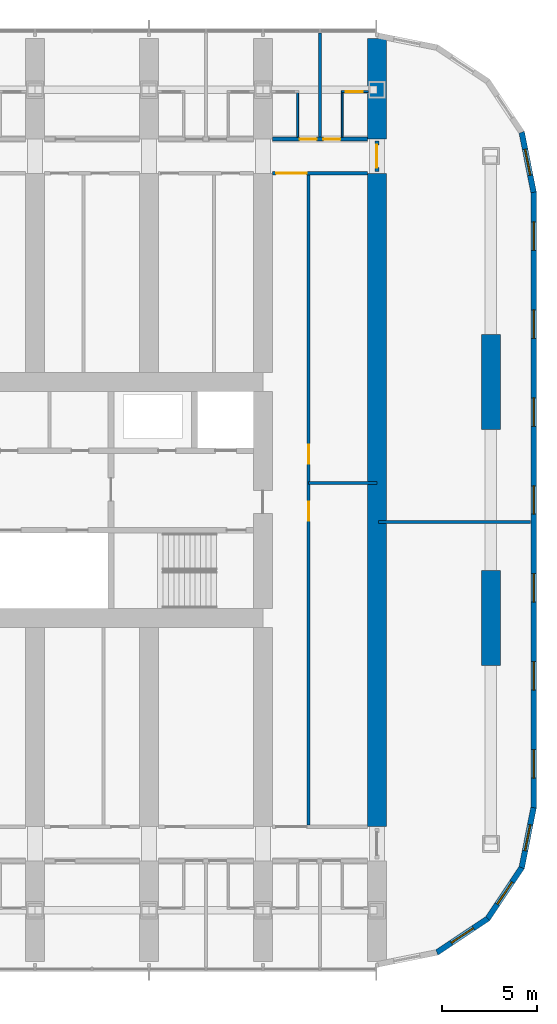
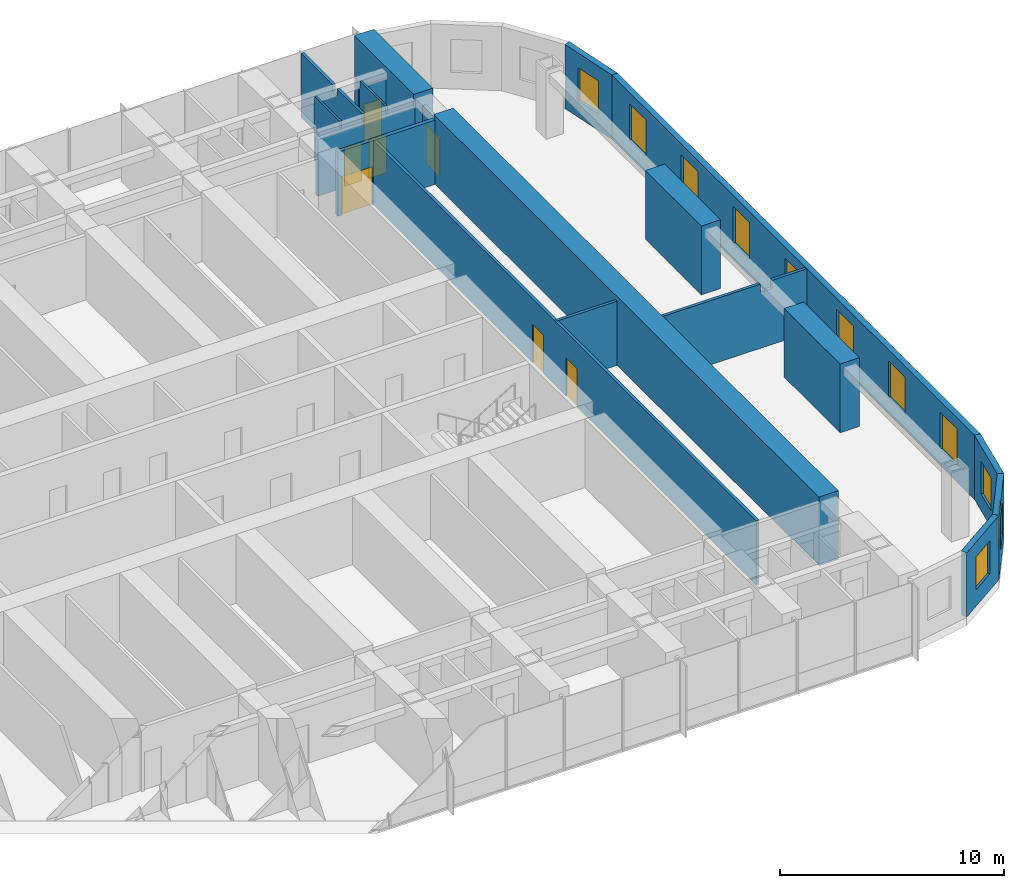
# One storey, part 20 of 28: 19 walls, 11 windows, 7 doors, 18 openings.
"""IFC4 building model written with IfcOpenShell, lengths in metres."""

import ifcopenshell
import ifcopenshell.guid

model = None  # the IFC model being written
_history = None  # IfcOwnerHistory: only IFC2X3 demands one
_inside = {}  # id of a spatial element -> (the spatial element, [elements in it])
_under = {}  # id of a project, library or spatial element -> (it, [spatial elements below it])
_declared = {}  # id of a project -> (the project, [libraries it declares])
_typed = {}  # id of a type object -> (the type object, [elements of that type])
_made_of = {}  # id of a material, layer set ... -> (it, [elements and type objects made of it])


def new_model(schema):
    """Start an empty IFC model of exactly this schema.

    Asked for "IFC4X3", IfcOpenShell would pick the latest addendum, in which some entities
    have other attributes; the version numbers below select the first issue.
    IFC2X3 requires an IfcOwnerHistory on every rooted entity: one is made here for all.
    """
    global model, _history
    if schema == "IFC4X3":
        model = ifcopenshell.file(schema_version=(4, 3, 0, 0))
    else:
        model = ifcopenshell.file(schema=schema)
    _inside.clear()
    _under.clear()
    _declared.clear()
    _typed.clear()
    _made_of.clear()
    _history = None
    if model.schema == "IFC2X3":
        org = make("IfcOrganization", Name="unknown")
        user = make(
            "IfcPersonAndOrganization",
            ThePerson=make("IfcPerson", FamilyName="unknown"),
            TheOrganization=org,
        )
        app = make(
            "IfcApplication",
            ApplicationDeveloper=org,
            Version="unknown",
            ApplicationFullName="unknown",
            ApplicationIdentifier="unknown",
        )
        _history = make(
            "IfcOwnerHistory",
            OwningUser=user,
            OwningApplication=app,
            ChangeAction="ADDED",
            CreationDate=0,
        )
    return model


def make(cls, **values):
    """One entity of the class cls with the attributes given. An attribute that is None is left unset."""
    return model.create_entity(
        cls, **{name: value for name, value in values.items() if value is not None}
    )


def rooted(cls, **values):
    """An entity with a GlobalId (a new one), such as an element, a storey or a relation."""
    return make(cls, GlobalId=ifcopenshell.guid.new(), OwnerHistory=_history, **values)


def si_unit(unit_type, name, prefix=None):
    """IfcSIUnit, for example si_unit("LENGTHUNIT", "METRE", prefix="MILLI")."""
    return make("IfcSIUnit", UnitType=unit_type, Prefix=prefix, Name=name)


def assignment(units):
    """IfcUnitAssignment: the units of a project."""
    return None if units is None else make("IfcUnitAssignment", Units=units)


def point(xyz):
    """IfcCartesianPoint."""
    return None if xyz is None else make("IfcCartesianPoint", Coordinates=xyz)


def direction(xyz):
    """IfcDirection."""
    return None if xyz is None else make("IfcDirection", DirectionRatios=xyz)


def frame(location, z_axis=None, x_axis=None):
    """IfcAxis2Placement3D, a coordinate frame: its origin and axes. An axis left out is left unset."""
    return make(
        "IfcAxis2Placement3D",
        Location=point(location),
        Axis=direction(z_axis),
        RefDirection=direction(x_axis),
    )


def frame_2d(location, x_axis=None):
    """IfcAxis2Placement2D, a coordinate frame in the plane: its origin and x axis."""
    return make(
        "IfcAxis2Placement2D", Location=point(location), RefDirection=direction(x_axis)
    )


def origin():
    """The frame at (0, 0, 0) with its axes left unset."""
    return frame((0.0, 0.0, 0.0))


def place(relative_to, where):
    """IfcLocalPlacement: puts the frame where relative to a parent placement (None: the world)."""
    return make(
        "IfcLocalPlacement", PlacementRelTo=relative_to, RelativePlacement=where
    )


def context(
    kind, dimensions, precision=None, world=None, true_north=None, identifier=None
):
    """IfcGeometricRepresentationContext, for example the 3D "Model" context."""
    return make(
        "IfcGeometricRepresentationContext",
        ContextIdentifier=identifier,
        ContextType=kind,
        CoordinateSpaceDimension=dimensions,
        Precision=precision,
        WorldCoordinateSystem=world,
        TrueNorth=true_north,
    )


def subcontext(parent, identifier, kind, view, scale=None):
    """IfcGeometricRepresentationSubContext, for example "Body" below "Model"."""
    return make(
        "IfcGeometricRepresentationSubContext",
        ContextIdentifier=identifier,
        ContextType=kind,
        ParentContext=parent,
        TargetScale=scale,
        TargetView=view,
    )


def project(units=None, contexts=None):
    """IfcProject with its units and contexts."""
    return rooted(
        "IfcProject",
        Name="project",
        RepresentationContexts=contexts,
        UnitsInContext=assignment(units),
    )


def spatial(cls, under=None, at=None, **own):
    """A site, building, storey or space (cls), placed at a placement, below another one or the project."""
    s = rooted(cls, ObjectPlacement=at, **own)
    if under is not None:
        _under.setdefault(under.id(), (under, []))[1].append(s)
    return s


def polyline(points):
    """IfcPolyline through the points."""
    return make("IfcPolyline", Points=[point(p) for p in points])


def profile(cls, at=None, kind="AREA", **sizes):
    """A parametric profile (cls). Its sizes go by their IFC names, for example OverallWidth=200.0."""
    return make(cls, ProfileType=kind, Position=at, **sizes)


def rectangle(**sizes):
    """IfcRectangleProfileDef."""
    return profile("IfcRectangleProfileDef", **sizes)


def outline(outer, holes=None, kind="AREA"):
    """IfcArbitraryClosedProfileDef: a profile drawn as a closed curve; with holes, ...WithVoids."""
    if holes is None:
        return make("IfcArbitraryClosedProfileDef", ProfileType=kind, OuterCurve=outer)
    return make(
        "IfcArbitraryProfileDefWithVoids",
        ProfileType=kind,
        OuterCurve=outer,
        InnerCurves=holes,
    )


def extrude(swept, where, along, depth):
    """IfcExtrudedAreaSolid: the profile swept, set in the frame where, extruded along a direction by depth."""
    return make(
        "IfcExtrudedAreaSolid",
        SweptArea=swept,
        Position=where,
        ExtrudedDirection=direction(along),
        Depth=depth,
    )


def shape(context_of_items, identifier, shape_type, items):
    """IfcShapeRepresentation: the items that make up one representation, for example the "Body"."""
    return make(
        "IfcShapeRepresentation",
        ContextOfItems=context_of_items,
        RepresentationIdentifier=identifier,
        RepresentationType=shape_type,
        Items=items,
    )


def material(Name=None, Category=None):
    """IfcMaterial."""
    return make("IfcMaterial", Name=Name, Category=Category)


def layer(
    of_material, thickness, ventilated=None, Name=None, Category=None, Priority=None
):
    """IfcMaterialLayer: one layer of a wall or slab, of a material (None: an air gap)."""
    return make(
        "IfcMaterialLayer",
        Material=of_material,
        LayerThickness=thickness,
        IsVentilated=ventilated,
        Name=Name,
        Category=Category,
        Priority=Priority,
    )


def layer_set(layers, Name=None):
    """IfcMaterialLayerSet."""
    return make("IfcMaterialLayerSet", MaterialLayers=layers, LayerSetName=Name)


def made_of(thing, what):
    """Note that an element or type object is made of a material, layer set ...; save() writes the relation."""
    if what is not None:
        _made_of.setdefault(what.id(), (what, []))[1].append(thing)
    return thing


def type_object(cls, material=None, **own):
    """A type object (cls), such as IfcWallType, which elements share."""
    return made_of(rooted(cls, **own), material)


def element(
    cls,
    number,
    at=None,
    inside=None,
    cuts=None,
    type_object=None,
    material=None,
    context=None,
    identifier="Body",
    shape_type=None,
    held_by="IfcProductDefinitionShape",
    body=None,
    shapes=None,
    **own,
):
    """One element of the class cls, such as IfcWall. Its Tag is "e" and its number.

    at: its placement. inside: the storey or other place that contains it. cuts: it is an
    opening in that element (IfcRelVoidsElement). A single representation is given by context,
    identifier, shape_type and body (its items); several are given by shapes. held_by: the class
    of the entity that holds the representations. save() writes the other relations.
    """
    e = rooted(cls, Tag="e%d" % number, ObjectPlacement=at, **own)
    if body is not None:
        shapes = [shape(context, identifier, shape_type, body)]
    if shapes is not None:
        e.Representation = make(held_by, Representations=shapes)
    if inside is not None:
        _inside.setdefault(inside.id(), (inside, []))[1].append(e)
    if cuts is not None:
        rooted(
            "IfcRelVoidsElement", RelatingBuildingElement=cuts, RelatedOpeningElement=e
        )
    if type_object is not None:
        _typed.setdefault(type_object.id(), (type_object, []))[1].append(e)
    return made_of(e, material)


def fill(opening, filler):
    """IfcRelFillsElement: the door or window that sits in an opening."""
    return rooted(
        "IfcRelFillsElement",
        RelatingOpeningElement=opening,
        RelatedBuildingElement=filler,
    )


def aggregate(whole, parts):
    """IfcRelAggregates: a whole, such as a stair, and the parts it consists of."""
    return rooted("IfcRelAggregates", RelatingObject=whole, RelatedObjects=parts)


def save(model, path):
    """Write the relations noted so far, then the file.

    IfcRelAggregates (storeys below a building ...), IfcRelContainedInSpatialStructure (elements
    in a storey), IfcRelDefinesByType, IfcRelAssociatesMaterial and IfcRelDeclares: one each for
    every whole, place, type object, material and project.
    """
    for whole, parts in _under.values():
        aggregate(whole, parts)
    for where, things in _inside.values():
        rooted(
            "IfcRelContainedInSpatialStructure",
            RelatedElements=things,
            RelatingStructure=where,
        )
    for kind, things in _typed.values():
        rooted("IfcRelDefinesByType", RelatedObjects=things, RelatingType=kind)
    for what, things in _made_of.values():
        rooted("IfcRelAssociatesMaterial", RelatedObjects=things, RelatingMaterial=what)
    for by, libraries in _declared.values():
        rooted("IfcRelDeclares", RelatingContext=by, RelatedDefinitions=libraries)
    model.write(path)


model = new_model("IFC4")

# Units and contexts
model_context = context("Model", 3, precision=1e-05, world=origin(), true_north=direction((0.0, 1.0)))
body_context = subcontext(model_context, "Body", "Model", "MODEL_VIEW")
ifc_project = project(units=[si_unit("LENGTHUNIT", "METRE"), si_unit("AREAUNIT", "SQUARE_METRE"), si_unit("VOLUMEUNIT", "CUBIC_METRE"), si_unit("PLANEANGLEUNIT", "RADIAN"), si_unit("MASSUNIT", "GRAM", prefix="KILO")], contexts=[model_context])

# Site, building, storey
site_placement = place(None, origin())
site = spatial("IfcSite", under=ifc_project, at=site_placement, CompositionType="ELEMENT")
building_placement = place(site_placement, origin())
building = spatial("IfcBuilding", under=site, at=building_placement, Name="Orbita Commons", CompositionType="ELEMENT")
storey_placement = place(building_placement, frame((0.0, 0.0, 23.949951171875)))
storey = spatial("IfcBuildingStorey", under=building, at=storey_placement, Name="L05", CompositionType="ELEMENT", Elevation=23.949951171875)

# Wall, openings, doors
ifc_material_1 = material(Name="Concrete blockwork", Category="masonry")
ifc_layer_1 = layer(ifc_material_1, 0.199951171875)
ifc_layer_set_1 = layer_set([ifc_layer_1], Name="Concrete blockwork")
wall_type_1 = type_object("IfcWallType", Name="Corridor wall 200 blockwork", PredefinedType="SOLIDWALL", material=ifc_layer_set_1)
wall_1_placement = place(storey_placement, frame((66.5, 51.0, 0.0), z_axis=(0.0, 0.0, 1.0), x_axis=(1.0, 0.0, 0.0)))
wall_1 = element("IfcWall", 1, at=wall_1_placement, inside=storey, type_object=wall_type_1, Name="Corridor wall 200 blockwork L05", PredefinedType="SOLIDWALL", context=body_context, shape_type="SweptSolid", body=[
    extrude(outline(polyline([(0.0, 0.0), (5.0, 0.0), (5.0, 3.10009765625), (0.0, 3.10009765625), (0.0, 0.0)])), frame((0.0, 0.10009765625, 0.0), z_axis=(0.0, -1.0, 0.0), x_axis=(1.0, 0.0, 0.0)), (0.0, 0.0, 1.0), 0.199951171875),
])
opening_1_placement = place(wall_1_placement, frame((1.425048828125, 0.0, 0.0)))
opening_1 = element("IfcOpeningElement", 2, at=opening_1_placement, cuts=wall_1, Name="Opening D11", PredefinedType="OPENING", context=body_context, shape_type="SweptSolid", body=[
    extrude(rectangle(XDim=0.89990234375, YDim=2.10009765625, at=frame_2d((0.449951171875, 1.050048828125))), frame((0.0, 0.10986328125, 0.0), z_axis=(0.0, -1.0, 0.0), x_axis=(1.0, 0.0, 0.0)), (0.0, 0.0, 1.0), 0.219970703125),
])
opening_2_placement = place(wall_1_placement, frame((2.675048828125, 0.0, 0.0)))
opening_2 = element("IfcOpeningElement", 3, at=opening_2_placement, cuts=wall_1, Name="Opening D11", PredefinedType="OPENING", context=body_context, shape_type="SweptSolid", body=[
    extrude(rectangle(XDim=0.89990234375, YDim=2.10009765625, at=frame_2d((0.449951171875, 1.050048828125))), frame((0.0, 0.10986328125, 0.0), z_axis=(0.0, -1.0, 0.0), x_axis=(1.0, 0.0, 0.0)), (0.0, 0.0, 1.0), 0.219970703125),
])
ifc_material_2 = material(Name="Steel-faced fire door leaf", Category="steel")
door_type_1 = type_object("IfcDoorType", Name="Corridor door 20 min 900x2100", OperationType="SINGLE_SWING_LEFT", PredefinedType="DOOR", material=ifc_material_2)
door_1_placement = place(opening_1_placement, origin())
door_1 = element("IfcDoor", 4, at=door_1_placement, inside=storey, type_object=door_type_1, Name="House bedroom L05-N18 door", OperationType="SINGLE_SWING_LEFT", OverallHeight=2.10009765625, OverallWidth=0.89990234375, PredefinedType="DOOR", context=body_context, shape_type="SweptSolid", body=[
    extrude(rectangle(XDim=0.89990234375, YDim=2.10009765625, at=frame_2d((0.449951171875, 1.050048828125))), frame((0.0, 0.02490234375, 0.0), z_axis=(0.0, -1.0, 0.0), x_axis=(1.0, 0.0, 0.0)), (0.0, 0.0, 1.0), 0.050048828125),
])
fill(opening_1, door_1)
door_2_placement = place(opening_2_placement, origin())
door_2 = element("IfcDoor", 5, at=door_2_placement, inside=storey, type_object=door_type_1, Name="House bedroom L05-N19 door", OperationType="SINGLE_SWING_LEFT", OverallHeight=2.10009765625, OverallWidth=0.89990234375, PredefinedType="DOOR", context=body_context, shape_type="SweptSolid", body=[
    extrude(rectangle(XDim=0.89990234375, YDim=2.10009765625, at=frame_2d((0.449951171875, 1.050048828125))), frame((0.0, 0.02490234375, 0.0), z_axis=(0.0, -1.0, 0.0), x_axis=(1.0, 0.0, 0.0)), (0.0, 0.0, 1.0), 0.050048828125),
])
fill(opening_2, door_2)

# Wall, opening, door
wall_2_placement = place(storey_placement, frame((72.0, 49.300048828125, 0.0), z_axis=(0.0, 0.0, 1.0), x_axis=(0.0, 1.0, 0.0)))
wall_2 = element("IfcWall", 6, at=wall_2_placement, inside=storey, type_object=wall_type_1, Name="Corridor wall 200 blockwork L05", PredefinedType="SOLIDWALL", context=body_context, shape_type="SweptSolid", body=[
    extrude(outline(polyline([(0.0, 0.0), (1.599853515625, 0.0), (1.60009765625, 3.050048828125), (0.0, 3.050048828125), (0.0, 0.0)])), frame((0.0, 0.10009765625, 0.0), z_axis=(0.0, -1.0, 0.0), x_axis=(1.0, 0.0, 0.0)), (0.0, 0.0, 1.0), 0.199951171875),
])
opening_3_placement = place(wall_2_placement, frame((0.199951171875, 0.0, 0.0)))
opening_3 = element("IfcOpeningElement", 7, at=opening_3_placement, cuts=wall_2, Name="Opening D12", PredefinedType="OPENING", context=body_context, shape_type="SweptSolid", body=[
    extrude(rectangle(XDim=1.199951171875, YDim=2.10009765625, at=frame_2d((0.60009765625, 1.050048828125))), frame((0.0, 0.10986328125, 0.0), z_axis=(0.0, -1.0, 0.0), x_axis=(1.0, 0.0, 0.0)), (0.0, 0.0, 1.0), 0.219970703125),
])
ifc_material_3 = material(Name="Steel-faced fire door leaf", Category="steel")
door_type_2 = type_object("IfcDoorType", Name="Double corridor door 20 min 1200x2100", OperationType="DOUBLE_DOOR_SINGLE_SWING", PredefinedType="DOOR", material=ifc_material_3)
door_3_placement = place(opening_3_placement, origin())
door_3 = element("IfcDoor", 8, at=door_3_placement, inside=storey, type_object=door_type_2, Name="Lounge doors", OperationType="DOUBLE_DOOR_SINGLE_SWING", OverallHeight=2.10009765625, OverallWidth=1.199951171875, PredefinedType="DOOR", context=body_context, shape_type="SweptSolid", body=[
    extrude(rectangle(XDim=1.199951171875, YDim=2.10009765625, at=frame_2d((0.60009765625, 1.050048828125))), frame((0.0, 0.02490234375, 0.0), z_axis=(0.0, -1.0, 0.0), x_axis=(1.0, 0.0, 0.0)), (0.0, 0.0, 1.0), 0.050048828125),
])
fill(opening_3, door_3)

ifc_material_4 = material(Name="Hollow concrete block 200", Category="concrete")
ifc_layer_2 = layer(ifc_material_4, 0.199951171875)
ifc_layer_set_2 = layer_set([ifc_layer_2], Name="Hollow concrete block 200")
wall_type_2 = type_object("IfcWallType", Name="Corridor wall 200 hollow concrete block", PredefinedType="SOLIDWALL", material=ifc_layer_set_2)
wall_3_placement = place(storey_placement, frame((66.5, 49.199951171875, 0.0), z_axis=(0.0, 0.0, 1.0), x_axis=(1.0, 0.0, 0.0)))
wall_3 = element("IfcWall", 9, at=wall_3_placement, inside=storey, type_object=wall_type_2, Name="Corridor wall 200 hollow concrete block L05", PredefinedType="SOLIDWALL", context=body_context, shape_type="SweptSolid", body=[
    extrude(rectangle(XDim=5.0, YDim=0.199951171875, at=frame_2d((2.5, 0.0))), origin(), (0.0, 0.0, 1.0), 3.5),
])
opening_4_placement = place(wall_3_placement, frame((0.199951171875, 0.0, 0.0)))
opening_4 = element("IfcOpeningElement", 10, at=opening_4_placement, cuts=wall_3, Name="Opening D10", PredefinedType="OPENING", context=body_context, shape_type="SweptSolid", body=[
    extrude(rectangle(XDim=1.60009765625, YDim=2.10009765625, at=frame_2d((0.800048828125, 1.050048828125))), frame((0.0, 0.10986328125, 0.0), z_axis=(0.0, -1.0, 0.0), x_axis=(1.0, 0.0, 0.0)), (0.0, 0.0, 1.0), 0.219970703125),
])
ifc_material_5 = material(Name="Steel-faced fire door leaf", Category="steel")
door_type_3 = type_object("IfcDoorType", Name="Double corridor door 20 min 1600x2100", OperationType="DOUBLE_DOOR_SINGLE_SWING", PredefinedType="DOOR", material=ifc_material_5)
door_4_placement = place(opening_4_placement, origin())
door_4 = element("IfcDoor", 11, at=door_4_placement, inside=storey, type_object=door_type_3, Name="Cross corridor doors", OperationType="DOUBLE_DOOR_SINGLE_SWING", OverallHeight=2.10009765625, OverallWidth=1.60009765625, PredefinedType="DOOR", context=body_context, shape_type="SweptSolid", body=[
    extrude(rectangle(XDim=1.60009765625, YDim=2.10009765625, at=frame_2d((0.800048828125, 1.050048828125))), frame((0.0, 0.02490234375, 0.0), z_axis=(0.0, -1.0, 0.0), x_axis=(1.0, 0.0, 0.0)), (0.0, 0.0, 1.0), 0.050048828125),
])
fill(opening_4, door_4)

# Walls
ifc_material_6 = material(Name="Concrete C50/60", Category="concrete")
ifc_layer_3 = layer(ifc_material_6, 1.0)
ifc_layer_set_3 = layer_set([ifc_layer_3], Name="Concrete C50/60")
wall_type_3 = type_object("IfcWallType", Name="Cross wall 1000 C50/60", PredefinedType="SHEAR", material=ifc_layer_set_3)
wall_4_placement = place(storey_placement, frame((72.0, 51.0, 0.0), z_axis=(0.0, 0.0, 1.0), x_axis=(0.0, 1.0, 0.0)))
element("IfcWall", 12, at=wall_4_placement, inside=storey, type_object=wall_type_3, Name="Cross wall 13 north outer L05", PredefinedType="SHEAR", context=body_context, shape_type="SweptSolid", body=[
    extrude(rectangle(XDim=5.300048828125, YDim=1.0, at=frame_2d((2.64990234375, 0.0))), origin(), (0.0, 0.0, 1.0), 3.75),
])
wall_5_placement = place(storey_placement, frame((72.0, 14.800048828125, 0.0), z_axis=(0.0, 0.0, 1.0), x_axis=(0.0, 1.0, 0.0)))
element("IfcWall", 13, at=wall_5_placement, inside=storey, type_object=wall_type_3, Name="Cross wall 13 inner L05", PredefinedType="SHEAR", context=body_context, shape_type="SweptSolid", body=[
    extrude(rectangle(XDim=34.39990234375, YDim=1.0, at=frame_2d((17.199951171875, 0.0))), origin(), (0.0, 0.0, 1.0), 3.75),
])
ifc_material_7 = material(Name="Moisture-resistant plasterboard on steel studs", Category="steel")
ifc_layer_4 = layer(ifc_material_7, 0.10009765625)
ifc_layer_set_4 = layer_set([ifc_layer_4], Name="Moisture-resistant plasterboard on steel studs")
wall_type_4 = type_object("IfcWallType", Name="En-suite partition 100", PredefinedType="PARTITIONING", material=ifc_layer_set_4)
wall_6_placement = place(storey_placement, frame((67.824951171875, 53.449951171875, 0.0), z_axis=(0.0, 0.0, 1.0), x_axis=(0.0, -1.0, 0.0)))
element("IfcWall", 14, at=wall_6_placement, inside=storey, type_object=wall_type_4, Name="En-suite partition 100 L05", PredefinedType="PARTITIONING", context=body_context, shape_type="SweptSolid", body=[
    extrude(outline(polyline([(0.0, 0.0), (2.349853515625, 0.0), (2.35009765625, 3.10009765625), (2.302001953125, 3.10009765625), (2.300048828125, 3.5), (0.052001953125, 3.5), (0.050048828125, 3.10009765625), (0.0, 3.10009765625), (0.0, 0.0)])), frame((0.0, 0.050048828125, 0.0), z_axis=(0.0, -1.0, 0.0), x_axis=(1.0, 0.0, 0.0)), (0.0, 0.0, 1.0), 0.10009765625),
])

# Wall, opening, door
wall_7_placement = place(storey_placement, frame((70.125, 53.5, 0.0), z_axis=(0.0, 0.0, 1.0), x_axis=(1.0, 0.0, 0.0)))
wall_7 = element("IfcWall", 15, at=wall_7_placement, inside=storey, type_object=wall_type_4, Name="En-suite partition 100 L05", PredefinedType="PARTITIONING", context=body_context, shape_type="SweptSolid", body=[
    extrude(outline(polyline([(0.0, 0.0), (1.425048828125, 0.0), (1.425048828125, 3.10009765625), (0.0, 3.10009765625), (0.0, 0.0)])), frame((0.0, 0.050048828125, 0.0), z_axis=(0.0, -1.0, 0.0), x_axis=(1.0, 0.0, 0.0)), (0.0, 0.0, 1.0), 0.10009765625),
])
opening_5_placement = place(wall_7_placement, frame((0.237548828125, 0.0, 0.0)))
opening_5 = element("IfcOpeningElement", 16, at=opening_5_placement, cuts=wall_7, Name="Opening D09", PredefinedType="OPENING", context=body_context, shape_type="SweptSolid", body=[
    extrude(rectangle(XDim=0.89990234375, YDim=2.10009765625, at=frame_2d((0.449951171875, 1.050048828125))), frame((0.0, 0.06005859375, 0.0), z_axis=(0.0, -1.0, 0.0), x_axis=(1.0, 0.0, 0.0)), (0.0, 0.0, 1.0), 0.1201171875),
])
ifc_material_8 = material(Name="Laminated timber door leaf", Category="wood")
door_type_4 = type_object("IfcDoorType", Name="En-suite door 900x2100", OperationType="SINGLE_SWING_RIGHT", PredefinedType="DOOR", material=ifc_material_8)
door_5_placement = place(opening_5_placement, origin())
door_5 = element("IfcDoor", 17, at=door_5_placement, inside=storey, type_object=door_type_4, Name="En-suite L05-N19 door", OperationType="SINGLE_SWING_RIGHT", OverallHeight=2.10009765625, OverallWidth=0.89990234375, PredefinedType="DOOR", context=body_context, shape_type="SweptSolid", body=[
    extrude(rectangle(XDim=0.89990234375, YDim=2.10009765625, at=frame_2d((0.449951171875, 1.050048828125))), frame((0.0, 0.02490234375, 0.0), z_axis=(0.0, -1.0, 0.0), x_axis=(1.0, 0.0, 0.0)), (0.0, 0.0, 1.0), 0.050048828125),
])
fill(opening_5, door_5)

# Walls
wall_8_placement = place(storey_placement, frame((70.175048828125, 53.449951171875, 0.0), z_axis=(0.0, 0.0, 1.0), x_axis=(0.0, -1.0, 0.0)))
element("IfcWall", 18, at=wall_8_placement, inside=storey, type_object=wall_type_4, Name="En-suite partition 100 L05", PredefinedType="PARTITIONING", context=body_context, shape_type="SweptSolid", body=[
    extrude(outline(polyline([(0.0, 0.0), (2.349853515625, 0.0), (2.35009765625, 3.10009765625), (2.302001953125, 3.10009765625), (2.300048828125, 3.5), (0.052001953125, 3.5), (0.050048828125, 3.10009765625), (0.0, 3.10009765625), (0.0, 0.0)])), frame((0.0, 0.050048828125, 0.0), z_axis=(0.0, -1.0, 0.0), x_axis=(1.0, 0.0, 0.0)), (0.0, 0.0, 1.0), 0.10009765625),
])
ifc_material_9 = material(Name="Concrete C50/60", Category="concrete")
ifc_layer_5 = layer(ifc_material_9, 1.0)
ifc_layer_set_5 = layer_set([ifc_layer_5], Name="Concrete C50/60")
wall_type_5 = type_object("IfcWallType", Name="End pier 1000x5000 C50/60", PredefinedType="SHEAR", material=ifc_layer_set_5)
for number, where, z_axis, x_axis, name in (
    (19, (78.0, 23.300048828125, 0.0), (0.0, 0.0, 1.0), (0.0, 1.0, 0.0), "End pier 14/C L05"),
    (20, (78.0, 35.699951171875, 0.0), (0.0, 0.0, 1.0), (0.0, 1.0, 0.0), "End pier 14/D L05"),
):
    element("IfcWall", number, at=place(storey_placement, frame(where, z_axis=z_axis, x_axis=x_axis)), inside=storey, type_object=wall_type_5, Name=name, PredefinedType="SHEAR", context=body_context, shape_type="SweptSolid", body=[
        extrude(rectangle(XDim=5.0, YDim=1.0, at=frame_2d((2.5, 0.0))), origin(), (0.0, 0.0, 1.0), 3.75),
    ])

# Wall, openings, doors
ifc_material_10 = material(Name="Gypsum plasterboard on steel studs", Category="steel")
ifc_layer_6 = layer(ifc_material_10, 0.14990234375)
ifc_layer_set_6 = layer_set([ifc_layer_6], Name="Gypsum plasterboard on steel studs")
wall_type_6 = type_object("IfcWallType", Name="Partition 150 plasterboard", PredefinedType="PARTITIONING", material=ifc_layer_set_6)
wall_9_placement = place(storey_placement, frame((68.39990234375, 14.89990234375, 0.0), z_axis=(0.0, 0.0, 1.0), x_axis=(0.0, 1.0, 0.0)))
wall_9 = element("IfcWall", 21, at=wall_9_placement, inside=storey, type_object=wall_type_6, Name="Partition 150 plasterboard L05", PredefinedType="PARTITIONING", context=body_context, shape_type="SweptSolid", body=[
    extrude(rectangle(XDim=34.2001953125, YDim=0.14990234375, at=frame_2d((17.10009765625, 0.0))), origin(), (0.0, 0.0, 1.0), 3.5),
])
opening_6_placement = place(wall_9_placement, frame((16.0, 0.0, 0.0)))
opening_6 = element("IfcOpeningElement", 22, at=opening_6_placement, cuts=wall_9, Name="Opening D06", PredefinedType="OPENING", context=body_context, shape_type="SweptSolid", body=[
    extrude(rectangle(XDim=1.0, YDim=2.10009765625, at=frame_2d((0.5, 1.050048828125))), frame((0.0, 0.0849609375, 0.0), z_axis=(0.0, -1.0, 0.0), x_axis=(1.0, 0.0, 0.0)), (0.0, 0.0, 1.0), 0.169921875),
])
opening_7_placement = place(wall_9_placement, frame((19.0, 0.0, 0.0)))
opening_7 = element("IfcOpeningElement", 23, at=opening_7_placement, cuts=wall_9, Name="Opening D06", PredefinedType="OPENING", context=body_context, shape_type="SweptSolid", body=[
    extrude(rectangle(XDim=1.0, YDim=2.10009765625, at=frame_2d((0.5, 1.050048828125))), frame((0.0, 0.0849609375, 0.0), z_axis=(0.0, -1.0, 0.0), x_axis=(1.0, 0.0, 0.0)), (0.0, 0.0, 1.0), 0.169921875),
])
ifc_material_11 = material(Name="Steel-faced fire door leaf", Category="steel")
door_type_5 = type_object("IfcDoorType", Name="Corridor door 20 min 1000x2100", OperationType="SINGLE_SWING_LEFT", PredefinedType="DOOR", material=ifc_material_11)
door_6_placement = place(opening_6_placement, origin())
door_6 = element("IfcDoor", 24, at=door_6_placement, inside=storey, type_object=door_type_5, Name="Interview room door", OperationType="SINGLE_SWING_LEFT", OverallHeight=2.10009765625, OverallWidth=1.0, PredefinedType="DOOR", context=body_context, shape_type="SweptSolid", body=[
    extrude(rectangle(XDim=1.0, YDim=2.10009765625, at=frame_2d((0.5, 1.050048828125))), frame((0.0, 0.02490234375, 0.0), z_axis=(0.0, -1.0, 0.0), x_axis=(1.0, 0.0, 0.0)), (0.0, 0.0, 1.0), 0.050048828125),
])
fill(opening_6, door_6)
door_7_placement = place(opening_7_placement, origin())
door_7 = element("IfcDoor", 25, at=door_7_placement, inside=storey, type_object=door_type_5, Name="Meeting room door", OperationType="SINGLE_SWING_LEFT", OverallHeight=2.10009765625, OverallWidth=1.0, PredefinedType="DOOR", context=body_context, shape_type="SweptSolid", body=[
    extrude(rectangle(XDim=1.0, YDim=2.10009765625, at=frame_2d((0.5, 1.050048828125))), frame((0.0, 0.02490234375, 0.0), z_axis=(0.0, -1.0, 0.0), x_axis=(1.0, 0.0, 0.0)), (0.0, 0.0, 1.0), 0.050048828125),
])
fill(opening_7, door_7)

# Walls
wall_10_placement = place(storey_placement, frame((68.39990234375, 32.89990234375, 0.0), z_axis=(0.0, 0.0, 1.0), x_axis=(1.0, 0.0, 0.0)))
element("IfcWall", 26, at=wall_10_placement, inside=storey, type_object=wall_type_6, Name="Partition 150 plasterboard L05", PredefinedType="PARTITIONING", context=body_context, shape_type="SweptSolid", body=[
    extrude(rectangle(XDim=3.60009765625, YDim=0.14990234375, at=frame_2d((1.800048828125, 0.0))), origin(), (0.0, 0.0, 1.0), 3.5),
])
wall_11_placement = place(storey_placement, frame((72.074951171875, 30.85009765625, 0.0), z_axis=(0.0, 0.0, 1.0), x_axis=(1.0, 0.0, 0.0)))
element("IfcWall", 27, at=wall_11_placement, inside=storey, type_object=wall_type_6, Name="Partition 150 plasterboard L05", PredefinedType="PARTITIONING", context=body_context, shape_type="SweptSolid", body=[
    extrude(outline(polyline([(0.0, 0.0), (8.02001953125, 0.0), (8.02001953125, 3.5), (6.22705078125, 3.5), (6.22509765625, 3.050048828125), (5.626953125, 3.050048828125), (5.625, 3.5), (0.0, 3.5), (0.0, 0.0)])), frame((0.0, 0.074951171875, 0.0), z_axis=(0.0, -1.0, 0.0), x_axis=(1.0, 0.0, 0.0)), (0.0, 0.0, 1.0), 0.14990234375),
])
ifc_material_12 = material(Name="Gypsum plasterboard on steel studs", Category="steel")
ifc_layer_7 = layer(ifc_material_12, 0.14990234375)
ifc_layer_set_7 = layer_set([ifc_layer_7], Name="Gypsum plasterboard on steel studs")
wall_type_7 = type_object("IfcWallType", Name="Party wall 150 plasterboard", PredefinedType="PARTITIONING", material=ifc_layer_set_7)
wall_12_placement = place(storey_placement, frame((69.0, 56.590087890625, 0.0), z_axis=(0.0, 0.0, 1.0), x_axis=(0.0, -1.0, 0.0)))
element("IfcWall", 28, at=wall_12_placement, inside=storey, type_object=wall_type_7, Name="Party wall 150 plasterboard L05", PredefinedType="PARTITIONING", context=body_context, shape_type="SweptSolid", body=[
    extrude(outline(polyline([(0.0, 0.0), (5.489990234375, 0.0), (5.489990234375, 3.10009765625), (5.44189453125, 3.10009765625), (5.43994140625, 3.5), (3.19189453125, 3.5), (3.18994140625, 3.10009765625), (2.7919921875, 3.10009765625), (2.7900390625, 3.5), (0.0, 3.5), (0.0, 0.0)])), frame((0.0, 0.074951171875, 0.0), z_axis=(0.0, -1.0, 0.0), x_axis=(1.0, 0.0, 0.0)), (0.0, 0.0, 1.0), 0.14990234375),
])

# Wall, openings, windows
ifc_material_13 = material(Name="Precast concrete C40/50, white board-marked finish", Category="concrete")
ifc_layer_8 = layer(ifc_material_13, 0.300048828125)
ifc_layer_set_8 = layer_set([ifc_layer_8], Name="Precast concrete C40/50, white board-marked finish")
wall_type_8 = type_object("IfcWallType", Name="Precast concrete end shield 300", PredefinedType="SOLIDWALL", material=ifc_layer_set_8)
wall_13_placement = place(storey_placement, frame((80.25, 15.800048828125, 0.0), z_axis=(0.0, 0.0, 1.0), x_axis=(0.0, 1.0, 0.0)))
wall_13 = element("IfcWall", 29, at=wall_13_placement, inside=storey, type_object=wall_type_8, Name="End shield E L05", PredefinedType="SOLIDWALL", context=body_context, shape_type="SweptSolid", body=[
    extrude(outline(polyline([(-0.014892578125, -0.14990234375), (32.414794921875, -0.14990234375), (32.385009765625, 0.14990234375), (0.014892578125, 0.14990234375), (-0.014892578125, -0.14990234375)])), origin(), (0.0, 0.0, 1.0), 3.5),
])
opening_8_placement = place(wall_13_placement, frame((1.564208984375, 0.0, 0.89990234375)))
opening_8 = element("IfcOpeningElement", 30, at=opening_8_placement, cuts=wall_13, Name="Opening W01", PredefinedType="OPENING", context=body_context, shape_type="SweptSolid", body=[
    extrude(rectangle(XDim=1.5, YDim=2.0, at=frame_2d((0.75, 1.0))), frame((0.0, 0.159912109375, 0.0), z_axis=(0.0, -1.0, 0.0), x_axis=(1.0, 0.0, 0.0)), (0.0, 0.0, 1.0), 0.320068359375),
])
opening_9_placement = place(wall_13_placement, frame((6.19287109375, 0.0, 0.89990234375)))
opening_9 = element("IfcOpeningElement", 31, at=opening_9_placement, cuts=wall_13, Name="Opening W01", PredefinedType="OPENING", context=body_context, shape_type="SweptSolid", body=[
    extrude(rectangle(XDim=1.5, YDim=2.0, at=frame_2d((0.75, 1.0))), frame((0.0, 0.159912109375, 0.0), z_axis=(0.0, -1.0, 0.0), x_axis=(1.0, 0.0, 0.0)), (0.0, 0.0, 1.0), 0.320068359375),
])
opening_10_placement = place(wall_13_placement, frame((10.821533203125, 0.0, 0.89990234375)))
opening_10 = element("IfcOpeningElement", 32, at=opening_10_placement, cuts=wall_13, Name="Opening W01", PredefinedType="OPENING", context=body_context, shape_type="SweptSolid", body=[
    extrude(rectangle(XDim=1.5, YDim=2.0, at=frame_2d((0.75, 1.0))), frame((0.0, 0.159912109375, 0.0), z_axis=(0.0, -1.0, 0.0), x_axis=(1.0, 0.0, 0.0)), (0.0, 0.0, 1.0), 0.320068359375),
])
opening_11_placement = place(wall_13_placement, frame((15.449951171875, 0.0, 0.89990234375)))
opening_11 = element("IfcOpeningElement", 33, at=opening_11_placement, cuts=wall_13, Name="Opening W01", PredefinedType="OPENING", context=body_context, shape_type="SweptSolid", body=[
    extrude(rectangle(XDim=1.5, YDim=2.0, at=frame_2d((0.75, 1.0))), frame((0.0, 0.159912109375, 0.0), z_axis=(0.0, -1.0, 0.0), x_axis=(1.0, 0.0, 0.0)), (0.0, 0.0, 1.0), 0.320068359375),
])
opening_12_placement = place(wall_13_placement, frame((20.07861328125, 0.0, 0.89990234375)))
opening_12 = element("IfcOpeningElement", 34, at=opening_12_placement, cuts=wall_13, Name="Opening W01", PredefinedType="OPENING", context=body_context, shape_type="SweptSolid", body=[
    extrude(rectangle(XDim=1.5, YDim=2.0, at=frame_2d((0.75, 1.0))), frame((0.0, 0.159912109375, 0.0), z_axis=(0.0, -1.0, 0.0), x_axis=(1.0, 0.0, 0.0)), (0.0, 0.0, 1.0), 0.320068359375),
])
opening_13_placement = place(wall_13_placement, frame((24.70703125, 0.0, 0.89990234375)))
opening_13 = element("IfcOpeningElement", 35, at=opening_13_placement, cuts=wall_13, Name="Opening W01", PredefinedType="OPENING", context=body_context, shape_type="SweptSolid", body=[
    extrude(rectangle(XDim=1.5, YDim=2.0, at=frame_2d((0.75, 1.0))), frame((0.0, 0.159912109375, 0.0), z_axis=(0.0, -1.0, 0.0), x_axis=(1.0, 0.0, 0.0)), (0.0, 0.0, 1.0), 0.320068359375),
])
opening_14_placement = place(wall_13_placement, frame((29.335693359375, 0.0, 0.89990234375)))
opening_14 = element("IfcOpeningElement", 36, at=opening_14_placement, cuts=wall_13, Name="Opening W01", PredefinedType="OPENING", context=body_context, shape_type="SweptSolid", body=[
    extrude(rectangle(XDim=1.5, YDim=2.0, at=frame_2d((0.75, 1.0))), frame((0.0, 0.159912109375, 0.0), z_axis=(0.0, -1.0, 0.0), x_axis=(1.0, 0.0, 0.0)), (0.0, 0.0, 1.0), 0.320068359375),
])
ifc_material_14 = material(Name="Aluminium frame, clear double glazing", Category="aluminium")
window_type_1 = type_object("IfcWindowType", Name="Deep-set window 1500x2000", PartitioningType="SINGLE_PANEL", PredefinedType="WINDOW", material=ifc_material_14)
window_1_placement = place(opening_8_placement, origin())
window_1 = element("IfcWindow", 37, at=window_1_placement, inside=storey, type_object=window_type_1, Name="Window L05-E 1", OverallHeight=2.0, OverallWidth=1.5, PartitioningType="SINGLE_PANEL", PredefinedType="WINDOW", context=body_context, shape_type="SweptSolid", body=[
    extrude(rectangle(XDim=1.5, YDim=2.0, at=frame_2d((0.75, 1.0))), frame((0.0, 0.030029296875, 0.0), z_axis=(0.0, -1.0, 0.0), x_axis=(1.0, 0.0, 0.0)), (0.0, 0.0, 1.0), 0.06005859375),
])
fill(opening_8, window_1)
window_2_placement = place(opening_9_placement, origin())
window_2 = element("IfcWindow", 38, at=window_2_placement, inside=storey, type_object=window_type_1, Name="Window L05-E 2", OverallHeight=2.0, OverallWidth=1.5, PartitioningType="SINGLE_PANEL", PredefinedType="WINDOW", context=body_context, shape_type="SweptSolid", body=[
    extrude(rectangle(XDim=1.5, YDim=2.0, at=frame_2d((0.75, 1.0))), frame((0.0, 0.030029296875, 0.0), z_axis=(0.0, -1.0, 0.0), x_axis=(1.0, 0.0, 0.0)), (0.0, 0.0, 1.0), 0.06005859375),
])
fill(opening_9, window_2)
window_3_placement = place(opening_10_placement, origin())
window_3 = element("IfcWindow", 39, at=window_3_placement, inside=storey, type_object=window_type_1, Name="Window L05-E 3", OverallHeight=2.0, OverallWidth=1.5, PartitioningType="SINGLE_PANEL", PredefinedType="WINDOW", context=body_context, shape_type="SweptSolid", body=[
    extrude(rectangle(XDim=1.5, YDim=2.0, at=frame_2d((0.75, 1.0))), frame((0.0, 0.030029296875, 0.0), z_axis=(0.0, -1.0, 0.0), x_axis=(1.0, 0.0, 0.0)), (0.0, 0.0, 1.0), 0.06005859375),
])
fill(opening_10, window_3)
window_4_placement = place(opening_11_placement, origin())
window_4 = element("IfcWindow", 40, at=window_4_placement, inside=storey, type_object=window_type_1, Name="Window L05-E 4", OverallHeight=2.0, OverallWidth=1.5, PartitioningType="SINGLE_PANEL", PredefinedType="WINDOW", context=body_context, shape_type="SweptSolid", body=[
    extrude(rectangle(XDim=1.5, YDim=2.0, at=frame_2d((0.75, 1.0))), frame((0.0, 0.030029296875, 0.0), z_axis=(0.0, -1.0, 0.0), x_axis=(1.0, 0.0, 0.0)), (0.0, 0.0, 1.0), 0.06005859375),
])
fill(opening_11, window_4)
window_5_placement = place(opening_12_placement, origin())
window_5 = element("IfcWindow", 41, at=window_5_placement, inside=storey, type_object=window_type_1, Name="Window L05-E 5", OverallHeight=2.0, OverallWidth=1.5, PartitioningType="SINGLE_PANEL", PredefinedType="WINDOW", context=body_context, shape_type="SweptSolid", body=[
    extrude(rectangle(XDim=1.5, YDim=2.0, at=frame_2d((0.75, 1.0))), frame((0.0, 0.030029296875, 0.0), z_axis=(0.0, -1.0, 0.0), x_axis=(1.0, 0.0, 0.0)), (0.0, 0.0, 1.0), 0.06005859375),
])
fill(opening_12, window_5)
window_6_placement = place(opening_13_placement, origin())
window_6 = element("IfcWindow", 42, at=window_6_placement, inside=storey, type_object=window_type_1, Name="Window L05-E 6", OverallHeight=2.0, OverallWidth=1.5, PartitioningType="SINGLE_PANEL", PredefinedType="WINDOW", context=body_context, shape_type="SweptSolid", body=[
    extrude(rectangle(XDim=1.5, YDim=2.0, at=frame_2d((0.75, 1.0))), frame((0.0, 0.030029296875, 0.0), z_axis=(0.0, -1.0, 0.0), x_axis=(1.0, 0.0, 0.0)), (0.0, 0.0, 1.0), 0.06005859375),
])
fill(opening_13, window_6)
window_7_placement = place(opening_14_placement, origin())
window_7 = element("IfcWindow", 43, at=window_7_placement, inside=storey, type_object=window_type_1, Name="Window L05-E 7", OverallHeight=2.0, OverallWidth=1.5, PartitioningType="SINGLE_PANEL", PredefinedType="WINDOW", context=body_context, shape_type="SweptSolid", body=[
    extrude(rectangle(XDim=1.5, YDim=2.0, at=frame_2d((0.75, 1.0))), frame((0.0, 0.030029296875, 0.0), z_axis=(0.0, -1.0, 0.0), x_axis=(1.0, 0.0, 0.0)), (0.0, 0.0, 1.0), 0.06005859375),
])
fill(opening_14, window_7)

# Wall, opening, window
wall_14_placement = place(storey_placement, frame((75.156982421875, 8.177978515625, 0.0), z_axis=(0.0, 0.0, 1.0), x_axis=(0.831478105043, 0.555557522525, 0.0)))
wall_14 = element("IfcWall", 44, at=wall_14_placement, inside=storey, type_object=wall_type_8, Name="End shield SE chord 2 L05", PredefinedType="SOLIDWALL", context=body_context, shape_type="SweptSolid", body=[
    extrude(outline(polyline([(-0.02978515625, -0.14990234375), (3.248779296875, -0.14990234375), (3.189208984375, 0.14990234375), (0.02978515625, 0.14990234375), (-0.02978515625, -0.14990234375)])), origin(), (0.0, 0.0, 1.0), 3.5),
])
opening_15_placement = place(wall_14_placement, frame((0.909423828125, 0.0, 0.89990234375)))
opening_15 = element("IfcOpeningElement", 45, at=opening_15_placement, cuts=wall_14, Name="Opening W02", PredefinedType="OPENING", context=body_context, shape_type="SweptSolid", body=[
    extrude(rectangle(XDim=1.39990234375, YDim=1.800048828125, at=frame_2d((0.699951171875, 0.89990234375))), frame((0.0, 0.159912109375, 0.0), z_axis=(0.0, -1.0, 0.0), x_axis=(1.0, 0.0, 0.0)), (0.0, 0.0, 1.0), 0.320068359375),
])
ifc_material_15 = material(Name="Aluminium frame, clear double glazing", Category="aluminium")
window_type_2 = type_object("IfcWindowType", Name="Deep-set window 1400x1800", PartitioningType="SINGLE_PANEL", PredefinedType="WINDOW", material=ifc_material_15)
window_8_placement = place(opening_15_placement, origin())
window_8 = element("IfcWindow", 46, at=window_8_placement, inside=storey, type_object=window_type_2, Name="Window L05-SE1", OverallHeight=1.800048828125, OverallWidth=1.39990234375, PartitioningType="SINGLE_PANEL", PredefinedType="WINDOW", context=body_context, shape_type="SweptSolid", body=[
    extrude(rectangle(XDim=1.39990234375, YDim=1.800048828125, at=frame_2d((0.699951171875, 0.89990234375))), frame((0.0, 0.030029296875, 0.0), z_axis=(0.0, -1.0, 0.0), x_axis=(1.0, 0.0, 0.0)), (0.0, 0.0, 1.0), 0.06005859375),
])
fill(opening_15, window_8)

wall_15_placement = place(storey_placement, frame((77.83349609375, 9.96630859375, 0.0), z_axis=(0.0, 0.0, 1.0), x_axis=(0.555609954424, 0.831443069936, 0.0)))
wall_15 = element("IfcWall", 47, at=wall_15_placement, inside=storey, type_object=wall_type_8, Name="End shield SE chord 3 L05", PredefinedType="SOLIDWALL", context=body_context, shape_type="SweptSolid", body=[
    extrude(outline(polyline([(-0.02978515625, -0.14990234375), (3.2490234375, -0.14990234375), (3.189453125, 0.14990234375), (0.02978515625, 0.14990234375), (-0.02978515625, -0.14990234375)])), origin(), (0.0, 0.0, 1.0), 3.5),
])
opening_16_placement = place(wall_15_placement, frame((0.909423828125, 0.0, 0.89990234375)))
opening_16 = element("IfcOpeningElement", 48, at=opening_16_placement, cuts=wall_15, Name="Opening W02", PredefinedType="OPENING", context=body_context, shape_type="SweptSolid", body=[
    extrude(rectangle(XDim=1.39990234375, YDim=1.800048828125, at=frame_2d((0.699951171875, 0.89990234375))), frame((0.0, 0.159912109375, 0.0), z_axis=(0.0, -1.0, 0.0), x_axis=(1.0, 0.0, 0.0)), (0.0, 0.0, 1.0), 0.320068359375),
])
window_9_placement = place(opening_16_placement, origin())
window_9 = element("IfcWindow", 49, at=window_9_placement, inside=storey, type_object=window_type_2, Name="Window L05-SE2", OverallHeight=1.800048828125, OverallWidth=1.39990234375, PartitioningType="SINGLE_PANEL", PredefinedType="WINDOW", context=body_context, shape_type="SweptSolid", body=[
    extrude(rectangle(XDim=1.39990234375, YDim=1.800048828125, at=frame_2d((0.699951171875, 0.89990234375))), frame((0.0, 0.030029296875, 0.0), z_axis=(0.0, -1.0, 0.0), x_axis=(1.0, 0.0, 0.0)), (0.0, 0.0, 1.0), 0.06005859375),
])
fill(opening_16, window_9)

wall_16_placement = place(storey_placement, frame((79.6220703125, 12.642822265625, 0.0), z_axis=(0.0, 0.0, 1.0), x_axis=(0.195065901187, 0.980790137692, 0.0)))
wall_16 = element("IfcWall", 50, at=wall_16_placement, inside=storey, type_object=wall_type_8, Name="End shield SE chord 4 L05", PredefinedType="SOLIDWALL", context=body_context, shape_type="SweptSolid", body=[
    extrude(outline(polyline([(-0.02978515625, -0.14990234375), (3.23388671875, -0.14990234375), (3.2041015625, 0.14990234375), (0.02978515625, 0.14990234375), (-0.02978515625, -0.14990234375)])), origin(), (0.0, 0.0, 1.0), 3.5),
])
opening_17_placement = place(wall_16_placement, frame((0.909423828125, 0.0, 0.89990234375)))
opening_17 = element("IfcOpeningElement", 51, at=opening_17_placement, cuts=wall_16, Name="Opening W02", PredefinedType="OPENING", context=body_context, shape_type="SweptSolid", body=[
    extrude(rectangle(XDim=1.39990234375, YDim=1.800048828125, at=frame_2d((0.699951171875, 0.89990234375))), frame((0.0, 0.159912109375, 0.0), z_axis=(0.0, -1.0, 0.0), x_axis=(1.0, 0.0, 0.0)), (0.0, 0.0, 1.0), 0.320068359375),
])
window_10_placement = place(opening_17_placement, origin())
window_10 = element("IfcWindow", 52, at=window_10_placement, inside=storey, type_object=window_type_2, Name="Window L05-SE3", OverallHeight=1.800048828125, OverallWidth=1.39990234375, PartitioningType="SINGLE_PANEL", PredefinedType="WINDOW", context=body_context, shape_type="SweptSolid", body=[
    extrude(rectangle(XDim=1.39990234375, YDim=1.800048828125, at=frame_2d((0.699951171875, 0.89990234375))), frame((0.0, 0.030029296875, 0.0), z_axis=(0.0, -1.0, 0.0), x_axis=(1.0, 0.0, 0.0)), (0.0, 0.0, 1.0), 0.06005859375),
])
fill(opening_17, window_10)

wall_17_placement = place(storey_placement, frame((80.25, 48.199951171875, 0.0), z_axis=(0.0, 0.0, 1.0), x_axis=(-0.195065901187, 0.980790137692, 0.0)))
wall_17 = element("IfcWall", 53, at=wall_17_placement, inside=storey, type_object=wall_type_8, Name="End shield NE chord 1 L05", PredefinedType="SOLIDWALL", context=body_context, shape_type="SweptSolid", body=[
    extrude(outline(polyline([(-0.014892578125, -0.14990234375), (3.248779296875, -0.14990234375), (3.189208984375, 0.14990234375), (0.014892578125, 0.14990234375), (-0.014892578125, -0.14990234375)])), origin(), (0.0, 0.0, 1.0), 3.5),
])
opening_18_placement = place(wall_17_placement, frame((0.909423828125, 0.0, 0.89990234375)))
opening_18 = element("IfcOpeningElement", 54, at=opening_18_placement, cuts=wall_17, Name="Opening W02", PredefinedType="OPENING", context=body_context, shape_type="SweptSolid", body=[
    extrude(rectangle(XDim=1.39990234375, YDim=1.800048828125, at=frame_2d((0.699951171875, 0.89990234375))), frame((0.0, 0.159912109375, 0.0), z_axis=(0.0, -1.0, 0.0), x_axis=(1.0, 0.0, 0.0)), (0.0, 0.0, 1.0), 0.320068359375),
])
window_11_placement = place(opening_18_placement, origin())
window_11 = element("IfcWindow", 55, at=window_11_placement, inside=storey, type_object=window_type_2, Name="Window L05-NE0", OverallHeight=1.800048828125, OverallWidth=1.39990234375, PartitioningType="SINGLE_PANEL", PredefinedType="WINDOW", context=body_context, shape_type="SweptSolid", body=[
    extrude(rectangle(XDim=1.39990234375, YDim=1.800048828125, at=frame_2d((0.699951171875, 0.89990234375))), frame((0.0, 0.030029296875, 0.0), z_axis=(0.0, -1.0, 0.0), x_axis=(1.0, 0.0, 0.0)), (0.0, 0.0, 1.0), 0.06005859375),
])
fill(opening_18, window_11)

save(model, "model.ifc")
